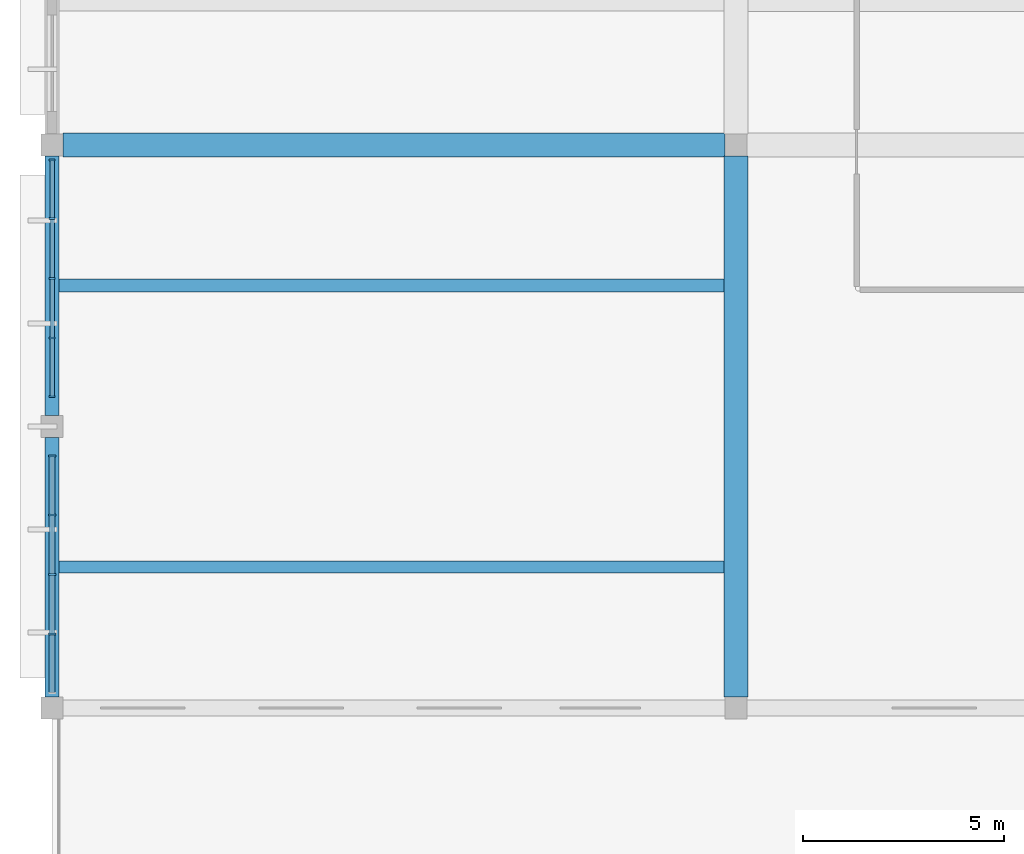
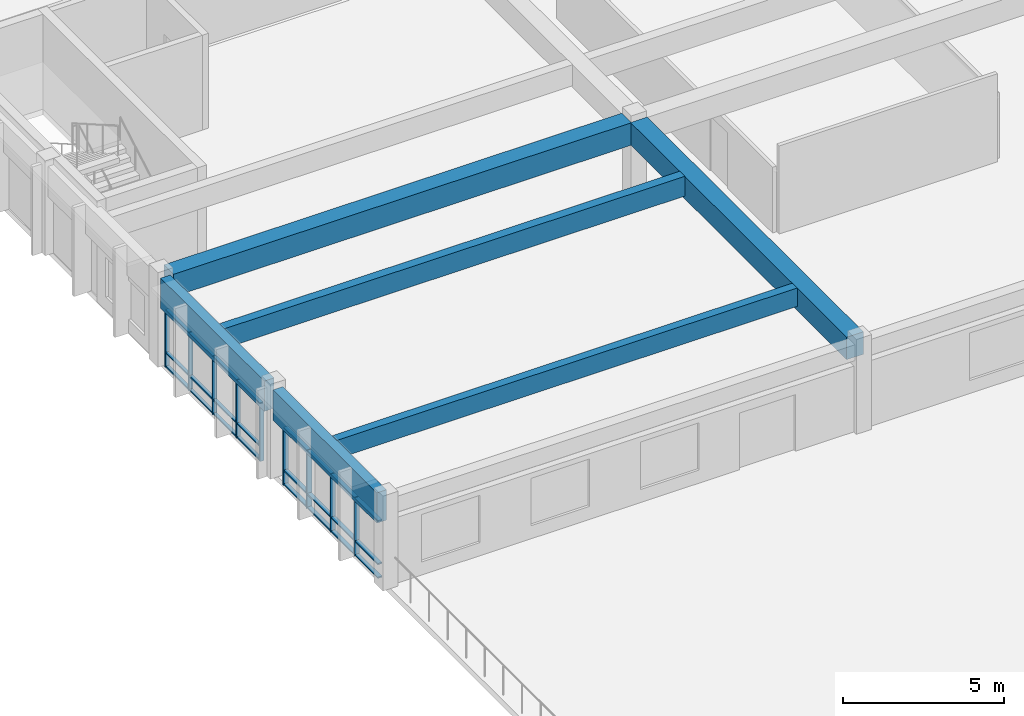
# One storey, part 4 of 23: 33 members, 6 beams, 2 elements without a shape of their own.
"""IFC4 building model written with IfcOpenShell, lengths in metres."""

import ifcopenshell
import ifcopenshell.guid

model = None  # the IFC model being written
_history = None  # IfcOwnerHistory: only IFC2X3 demands one
_inside = {}  # id of a spatial element -> (the spatial element, [elements in it])
_under = {}  # id of a project, library or spatial element -> (it, [spatial elements below it])
_declared = {}  # id of a project -> (the project, [libraries it declares])
_typed = {}  # id of a type object -> (the type object, [elements of that type])
_made_of = {}  # id of a material, layer set ... -> (it, [elements and type objects made of it])


def new_model(schema):
    """Start an empty IFC model of exactly this schema.

    Asked for "IFC4X3", IfcOpenShell would pick the latest addendum, in which some entities
    have other attributes; the version numbers below select the first issue.
    IFC2X3 requires an IfcOwnerHistory on every rooted entity: one is made here for all.
    """
    global model, _history
    if schema == "IFC4X3":
        model = ifcopenshell.file(schema_version=(4, 3, 0, 0))
    else:
        model = ifcopenshell.file(schema=schema)
    _inside.clear()
    _under.clear()
    _declared.clear()
    _typed.clear()
    _made_of.clear()
    _history = None
    if model.schema == "IFC2X3":
        org = make("IfcOrganization", Name="unknown")
        user = make(
            "IfcPersonAndOrganization",
            ThePerson=make("IfcPerson", FamilyName="unknown"),
            TheOrganization=org,
        )
        app = make(
            "IfcApplication",
            ApplicationDeveloper=org,
            Version="unknown",
            ApplicationFullName="unknown",
            ApplicationIdentifier="unknown",
        )
        _history = make(
            "IfcOwnerHistory",
            OwningUser=user,
            OwningApplication=app,
            ChangeAction="ADDED",
            CreationDate=0,
        )
    return model


def make(cls, **values):
    """One entity of the class cls with the attributes given. An attribute that is None is left unset."""
    return model.create_entity(
        cls, **{name: value for name, value in values.items() if value is not None}
    )


def rooted(cls, **values):
    """An entity with a GlobalId (a new one), such as an element, a storey or a relation."""
    return make(cls, GlobalId=ifcopenshell.guid.new(), OwnerHistory=_history, **values)


def si_unit(unit_type, name, prefix=None):
    """IfcSIUnit, for example si_unit("LENGTHUNIT", "METRE", prefix="MILLI")."""
    return make("IfcSIUnit", UnitType=unit_type, Prefix=prefix, Name=name)


def assignment(units):
    """IfcUnitAssignment: the units of a project."""
    return None if units is None else make("IfcUnitAssignment", Units=units)


def point(xyz):
    """IfcCartesianPoint."""
    return None if xyz is None else make("IfcCartesianPoint", Coordinates=xyz)


def direction(xyz):
    """IfcDirection."""
    return None if xyz is None else make("IfcDirection", DirectionRatios=xyz)


def frame(location, z_axis=None, x_axis=None):
    """IfcAxis2Placement3D, a coordinate frame: its origin and axes. An axis left out is left unset."""
    return make(
        "IfcAxis2Placement3D",
        Location=point(location),
        Axis=direction(z_axis),
        RefDirection=direction(x_axis),
    )


def frame_2d(location, x_axis=None):
    """IfcAxis2Placement2D, a coordinate frame in the plane: its origin and x axis."""
    return make(
        "IfcAxis2Placement2D", Location=point(location), RefDirection=direction(x_axis)
    )


def origin():
    """The frame at (0, 0, 0) with its axes left unset."""
    return frame((0.0, 0.0, 0.0))


def origin_2d():
    """The frame at (0, 0) in the plane with its x axis left unset."""
    return frame_2d((0.0, 0.0))


def place(relative_to, where):
    """IfcLocalPlacement: puts the frame where relative to a parent placement (None: the world)."""
    return make(
        "IfcLocalPlacement", PlacementRelTo=relative_to, RelativePlacement=where
    )


def context(
    kind, dimensions, precision=None, world=None, true_north=None, identifier=None
):
    """IfcGeometricRepresentationContext, for example the 3D "Model" context."""
    return make(
        "IfcGeometricRepresentationContext",
        ContextIdentifier=identifier,
        ContextType=kind,
        CoordinateSpaceDimension=dimensions,
        Precision=precision,
        WorldCoordinateSystem=world,
        TrueNorth=true_north,
    )


def subcontext(parent, identifier, kind, view, scale=None):
    """IfcGeometricRepresentationSubContext, for example "Body" below "Model"."""
    return make(
        "IfcGeometricRepresentationSubContext",
        ContextIdentifier=identifier,
        ContextType=kind,
        ParentContext=parent,
        TargetScale=scale,
        TargetView=view,
    )


def project(units=None, contexts=None):
    """IfcProject with its units and contexts."""
    return rooted(
        "IfcProject",
        Name="project",
        RepresentationContexts=contexts,
        UnitsInContext=assignment(units),
    )


def spatial(cls, under=None, at=None, **own):
    """A site, building, storey or space (cls), placed at a placement, below another one or the project."""
    s = rooted(cls, ObjectPlacement=at, **own)
    if under is not None:
        _under.setdefault(under.id(), (under, []))[1].append(s)
    return s


def profile(cls, at=None, kind="AREA", **sizes):
    """A parametric profile (cls). Its sizes go by their IFC names, for example OverallWidth=200.0."""
    return make(cls, ProfileType=kind, Position=at, **sizes)


def rectangle(**sizes):
    """IfcRectangleProfileDef."""
    return profile("IfcRectangleProfileDef", **sizes)


def extrude(swept, where, along, depth):
    """IfcExtrudedAreaSolid: the profile swept, set in the frame where, extruded along a direction by depth."""
    return make(
        "IfcExtrudedAreaSolid",
        SweptArea=swept,
        Position=where,
        ExtrudedDirection=direction(along),
        Depth=depth,
    )


def shape(context_of_items, identifier, shape_type, items):
    """IfcShapeRepresentation: the items that make up one representation, for example the "Body"."""
    return make(
        "IfcShapeRepresentation",
        ContextOfItems=context_of_items,
        RepresentationIdentifier=identifier,
        RepresentationType=shape_type,
        Items=items,
    )


def material(Name=None, Category=None):
    """IfcMaterial."""
    return make("IfcMaterial", Name=Name, Category=Category)


def material_profile(
    of_material, cross_section, Name=None, Category=None, Priority=None
):
    """IfcMaterialProfile: a cross section and its material."""
    return make(
        "IfcMaterialProfile",
        Name=Name,
        Material=of_material,
        Profile=cross_section,
        Priority=Priority,
        Category=Category,
    )


def profile_set(profiles, Name=None, composite=None):
    """IfcMaterialProfileSet."""
    return make(
        "IfcMaterialProfileSet",
        Name=Name,
        MaterialProfiles=profiles,
        CompositeProfile=composite,
    )


def made_of(thing, what):
    """Note that an element or type object is made of a material, layer set ...; save() writes the relation."""
    if what is not None:
        _made_of.setdefault(what.id(), (what, []))[1].append(thing)
    return thing


def type_object(cls, material=None, **own):
    """A type object (cls), such as IfcWallType, which elements share."""
    return made_of(rooted(cls, **own), material)


def element(
    cls,
    number,
    at=None,
    inside=None,
    cuts=None,
    type_object=None,
    material=None,
    context=None,
    identifier="Body",
    shape_type=None,
    held_by="IfcProductDefinitionShape",
    body=None,
    shapes=None,
    **own,
):
    """One element of the class cls, such as IfcWall. Its Tag is "e" and its number.

    at: its placement. inside: the storey or other place that contains it. cuts: it is an
    opening in that element (IfcRelVoidsElement). A single representation is given by context,
    identifier, shape_type and body (its items); several are given by shapes. held_by: the class
    of the entity that holds the representations. save() writes the other relations.
    """
    e = rooted(cls, Tag="e%d" % number, ObjectPlacement=at, **own)
    if body is not None:
        shapes = [shape(context, identifier, shape_type, body)]
    if shapes is not None:
        e.Representation = make(held_by, Representations=shapes)
    if inside is not None:
        _inside.setdefault(inside.id(), (inside, []))[1].append(e)
    if cuts is not None:
        rooted(
            "IfcRelVoidsElement", RelatingBuildingElement=cuts, RelatedOpeningElement=e
        )
    if type_object is not None:
        _typed.setdefault(type_object.id(), (type_object, []))[1].append(e)
    return made_of(e, material)


def aggregate(whole, parts):
    """IfcRelAggregates: a whole, such as a stair, and the parts it consists of."""
    return rooted("IfcRelAggregates", RelatingObject=whole, RelatedObjects=parts)


def save(model, path):
    """Write the relations noted so far, then the file.

    IfcRelAggregates (storeys below a building ...), IfcRelContainedInSpatialStructure (elements
    in a storey), IfcRelDefinesByType, IfcRelAssociatesMaterial and IfcRelDeclares: one each for
    every whole, place, type object, material and project.
    """
    for whole, parts in _under.values():
        aggregate(whole, parts)
    for where, things in _inside.values():
        rooted(
            "IfcRelContainedInSpatialStructure",
            RelatedElements=things,
            RelatingStructure=where,
        )
    for kind, things in _typed.values():
        rooted("IfcRelDefinesByType", RelatedObjects=things, RelatingType=kind)
    for what, things in _made_of.values():
        rooted("IfcRelAssociatesMaterial", RelatedObjects=things, RelatingMaterial=what)
    for by, libraries in _declared.values():
        rooted("IfcRelDeclares", RelatingContext=by, RelatedDefinitions=libraries)
    model.write(path)


model = new_model("IFC4")

# Units and contexts
model_context = context("Model", 3, precision=1e-05, world=origin(), true_north=direction((0.0, 1.0)))
body_context = subcontext(model_context, "Body", "Model", "MODEL_VIEW")
ifc_project = project(units=[si_unit("LENGTHUNIT", "METRE"), si_unit("AREAUNIT", "SQUARE_METRE"), si_unit("VOLUMEUNIT", "CUBIC_METRE"), si_unit("PLANEANGLEUNIT", "RADIAN"), si_unit("MASSUNIT", "GRAM", prefix="KILO")], contexts=[model_context])

# Site, building, storey
site_placement = place(None, origin())
site = spatial("IfcSite", under=ifc_project, at=site_placement, CompositionType="ELEMENT")
building_placement = place(site_placement, origin())
building = spatial("IfcBuilding", under=site, at=building_placement, Name="Larkveld Mobility Hub", CompositionType="ELEMENT")
storey_placement = place(building_placement, frame((0.0, 0.0, 19.199951171875)))
storey = spatial("IfcBuildingStorey", under=building, at=storey_placement, Name="L05", CompositionType="ELEMENT", Elevation=19.199951171875)

# Beams
ifc_material_1 = material(Name="Precast concrete C50/60", Category="concrete")
ifc_material_profile_1 = material_profile(ifc_material_1, rectangle(XDim=0.300048828125, YDim=0.699951171875, at=origin_2d()), Name="PC DT 300x700")
ifc_profile_set_1 = profile_set([ifc_material_profile_1], Name="Precast concrete C50/60")
beam_type_1 = type_object("IfcBeamType", Name="BM-DT3070", PredefinedType="T_BEAM", material=ifc_profile_set_1)
beam_1_placement = place(storey_placement, frame((112.169921875, 31.5, 3.02001953125), z_axis=(1.0, 0.0, 0.0), x_axis=(0.0, 1.0, 0.0)))
element("IfcBeam", 1, at=beam_1_placement, inside=storey, type_object=beam_type_1, Name="Precast Double-Tee Stem L05-1145", PredefinedType="T_BEAM", context=body_context, shape_type="SweptSolid", body=[
    extrude(rectangle(XDim=0.300048828125, YDim=0.699951171875, at=origin_2d()), origin(), (0.0, 0.0, 1.0), 16.53515625),
])
ifc_material_profile_2 = material_profile(ifc_material_1, rectangle(XDim=0.320068359375, YDim=0.75, at=origin_2d()), Name="PC DT 320x750")
ifc_profile_set_2 = profile_set([ifc_material_profile_2], Name="Precast concrete C50/60")
beam_type_2 = type_object("IfcBeamType", Name="BM-DT3275", PredefinedType="T_BEAM", material=ifc_profile_set_2)
beam_2_placement = place(storey_placement, frame((112.169921875, 38.5, 2.9951171875), z_axis=(1.0, 0.0, 0.0), x_axis=(0.0, 1.0, 0.0)))
element("IfcBeam", 2, at=beam_2_placement, inside=storey, type_object=beam_type_2, Name="Precast Double-Tee Stem L05-1146", PredefinedType="T_BEAM", context=body_context, shape_type="SweptSolid", body=[
    extrude(rectangle(XDim=0.320068359375, YDim=0.75, at=origin_2d()), origin(), (0.0, 0.0, 1.0), 16.53515625),
])
ifc_material_profile_3 = material_profile(ifc_material_1, rectangle(XDim=0.60009765625, YDim=0.85009765625, at=origin_2d()), Name="PC ITB 600x850")
ifc_profile_set_3 = profile_set([ifc_material_profile_3], Name="Precast concrete C50/60")
beam_type_3 = type_object("IfcBeamType", Name="BM-ITB6085", PredefinedType="T_BEAM", material=ifc_profile_set_3)
beam_3_placement = place(storey_placement, frame((112.27490234375, 42.0, 2.93505859375), z_axis=(1.0, 0.0, 0.0), x_axis=(0.0, 1.0, 0.0)))
element("IfcBeam", 3, at=beam_3_placement, inside=storey, type_object=beam_type_3, Name="Primary E-W Girder L05-0947", PredefinedType="T_BEAM", context=body_context, shape_type="SweptSolid", body=[
    extrude(rectangle(XDim=0.60009765625, YDim=0.85009765625, at=origin_2d()), origin(), (0.0, 0.0, 1.0), 16.4501953125),
])
beam_4_placement = place(storey_placement, frame((129.0, 28.27490234375, 2.93505859375), z_axis=(0.0, 1.0, 0.0), x_axis=(-1.0, 0.0, 0.0)))
element("IfcBeam", 4, at=beam_4_placement, inside=storey, type_object=beam_type_3, Name="Primary N-S Girder L05-0970", PredefinedType="T_BEAM", context=body_context, shape_type="SweptSolid", body=[
    extrude(rectangle(XDim=0.60009765625, YDim=0.85009765625, at=origin_2d()), origin(), (0.0, 0.0, 1.0), 13.4501953125),
])
ifc_material_profile_4 = material_profile(ifc_material_1, rectangle(XDim=0.35009765625, YDim=1.14990234375, at=origin_2d()), Name="PC SP 350x1150")
ifc_profile_set_4 = profile_set([ifc_material_profile_4], Name="Precast concrete C50/60")
beam_type_4 = type_object("IfcBeamType", Name="BM-SP35115", PredefinedType="SPANDREL", material=ifc_profile_set_4)
for number, where, z_axis, x_axis, name in (
    (5, (112.0, 28.27490234375, 2.78515625), (0.0, 1.0, 0.0), (-1.0, 0.0, 0.0), "Primary N-S Girder L05-0962"),
    (6, (112.0, 35.27490234375, 2.78515625), (0.0, 1.0, 0.0), (-1.0, 0.0, 0.0), "Primary N-S Girder L05-0963"),
):
    element("IfcBeam", number, at=place(storey_placement, frame(where, z_axis=z_axis, x_axis=x_axis)), inside=storey, type_object=beam_type_4, Name=name, PredefinedType="SPANDREL", context=body_context, shape_type="SweptSolid", body=[
        extrude(rectangle(XDim=0.35009765625, YDim=1.14990234375, at=origin_2d()), origin(), (0.0, 0.0, 1.0), 6.4501953125),
    ])

# Curtain wall, members
ifc_material_2 = material(Name="Anodised aluminium 6063-T6", Category="aluminium")
curtain_wall_type_1 = type_object("IfcCurtainWallType", Name="CW-SYS-05", PredefinedType="NOTDEFINED", material=ifc_material_2)
curtain_wall_1_placement = place(storey_placement, origin())
curtain_wall_1 = element("IfcCurtainWall", 7, at=curtain_wall_1_placement, inside=storey, type_object=curtain_wall_type_1, Name="EV Wing West Glazing L05 CW-161", PredefinedType="NOTDEFINED")
ifc_material_profile_5 = material_profile(ifc_material_2, rectangle(XDim=0.050048828125, YDim=0.14990234375, at=origin_2d()), Name="ALU MULL 50x150")
ifc_profile_set_5 = profile_set([ifc_material_profile_5], Name="Anodised aluminium 6063-T6")
member_type_1 = type_object("IfcMemberType", Name="CW-MUL-01", PredefinedType="MULLION", material=ifc_profile_set_5)
member_1_placement = place(storey_placement, frame((112.0, 41.625, -0.001953125), z_axis=(0.0, 0.0, 1.0), x_axis=(0.0, -1.0, 0.0)))
member_1 = element("IfcMember", 8, at=member_1_placement, type_object=member_type_1, Name="CW05 mullion 1", PredefinedType="MULLION", context=body_context, shape_type="SweptSolid", body=[
    extrude(rectangle(XDim=0.050048828125, YDim=0.14990234375, at=origin_2d()), origin(), (0.0, 0.0, 1.0), 2.2119140625),
])
member_2_placement = place(storey_placement, frame((112.0, 40.166015625, -0.001953125), z_axis=(0.0, 0.0, 1.0), x_axis=(0.0, -1.0, 0.0)))
member_2 = element("IfcMember", 9, at=member_2_placement, type_object=member_type_1, Name="CW05 mullion 2", PredefinedType="MULLION", context=body_context, shape_type="SweptSolid", body=[
    extrude(rectangle(XDim=0.050048828125, YDim=0.14990234375, at=origin_2d()), origin(), (0.0, 0.0, 1.0), 2.2119140625),
])
member_3_placement = place(storey_placement, frame((112.0, 38.681884765625, -0.001953125), z_axis=(0.0, 0.0, 1.0), x_axis=(0.0, -1.0, 0.0)))
member_3 = element("IfcMember", 10, at=member_3_placement, type_object=member_type_1, Name="CW05 mullion 3", PredefinedType="MULLION", context=body_context, shape_type="SweptSolid", body=[
    extrude(rectangle(XDim=0.050048828125, YDim=0.14990234375, at=origin_2d()), origin(), (0.0, 0.0, 1.0), 2.2119140625),
])
member_4_placement = place(storey_placement, frame((112.0, 37.198974609375, -0.001953125), z_axis=(0.0, 0.0, 1.0), x_axis=(0.0, -1.0, 0.0)))
member_4 = element("IfcMember", 11, at=member_4_placement, type_object=member_type_1, Name="CW05 mullion 4", PredefinedType="MULLION", context=body_context, shape_type="SweptSolid", body=[
    extrude(rectangle(XDim=0.050048828125, YDim=0.14990234375, at=origin_2d()), origin(), (0.0, 0.0, 1.0), 2.2119140625),
])
member_5_placement = place(storey_placement, frame((112.0, 35.739990234375, -0.001953125), z_axis=(0.0, 0.0, 1.0), x_axis=(0.0, -1.0, 0.0)))
member_5 = element("IfcMember", 12, at=member_5_placement, type_object=member_type_1, Name="CW05 mullion 5", PredefinedType="MULLION", context=body_context, shape_type="SweptSolid", body=[
    extrude(rectangle(XDim=0.050048828125, YDim=0.14990234375, at=origin_2d()), origin(), (0.0, 0.0, 1.0), 2.2119140625),
])

curtain_wall_type_2 = type_object("IfcCurtainWallType", Name="CW-SYS-06", PredefinedType="NOTDEFINED", material=ifc_material_2)
curtain_wall_2_placement = place(storey_placement, origin())
curtain_wall_2 = element("IfcCurtainWall", 13, at=curtain_wall_2_placement, inside=storey, type_object=curtain_wall_type_2, Name="EV Wing West Glazing L05 CW-162", PredefinedType="NOTDEFINED")
ifc_material_profile_6 = material_profile(ifc_material_2, rectangle(XDim=0.050048828125, YDim=0.179931640625, at=origin_2d()), Name="ALU MULL 50x180")
ifc_profile_set_6 = profile_set([ifc_material_profile_6], Name="Anodised aluminium 6063-T6")
member_type_2 = type_object("IfcMemberType", Name="CW-MUL-02", PredefinedType="MULLION", material=ifc_profile_set_6)
member_6_placement = place(storey_placement, frame((112.0, 34.260009765625, -0.001953125), z_axis=(0.0, 0.0, 1.0), x_axis=(0.0, -1.0, 0.0)))
member_6 = element("IfcMember", 14, at=member_6_placement, type_object=member_type_2, Name="CW06 mullion 1", PredefinedType="MULLION", context=body_context, shape_type="SweptSolid", body=[
    extrude(rectangle(XDim=0.050048828125, YDim=0.179931640625, at=origin_2d()), origin(), (0.0, 0.0, 1.0), 2.2119140625),
])
member_7_placement = place(storey_placement, frame((112.0, 32.801025390625, -0.001953125), z_axis=(0.0, 0.0, 1.0), x_axis=(0.0, -1.0, 0.0)))
member_7 = element("IfcMember", 15, at=member_7_placement, type_object=member_type_2, Name="CW06 mullion 2", PredefinedType="MULLION", context=body_context, shape_type="SweptSolid", body=[
    extrude(rectangle(XDim=0.050048828125, YDim=0.179931640625, at=origin_2d()), origin(), (0.0, 0.0, 1.0), 2.2119140625),
])
member_8_placement = place(storey_placement, frame((112.0, 31.31689453125, -0.001953125), z_axis=(0.0, 0.0, 1.0), x_axis=(0.0, -1.0, 0.0)))
member_8 = element("IfcMember", 16, at=member_8_placement, type_object=member_type_2, Name="CW06 mullion 3", PredefinedType="MULLION", context=body_context, shape_type="SweptSolid", body=[
    extrude(rectangle(XDim=0.050048828125, YDim=0.179931640625, at=origin_2d()), origin(), (0.0, 0.0, 1.0), 2.2119140625),
])
member_9_placement = place(storey_placement, frame((112.0, 29.833984375, -0.001953125), z_axis=(0.0, 0.0, 1.0), x_axis=(0.0, -1.0, 0.0)))
member_9 = element("IfcMember", 17, at=member_9_placement, type_object=member_type_2, Name="CW06 mullion 4", PredefinedType="MULLION", context=body_context, shape_type="SweptSolid", body=[
    extrude(rectangle(XDim=0.050048828125, YDim=0.179931640625, at=origin_2d()), origin(), (0.0, 0.0, 1.0), 2.2119140625),
])

# Member
ifc_material_profile_7 = material_profile(ifc_material_2, rectangle(XDim=0.1201171875, YDim=0.050048828125, at=origin_2d()), Name="ALU TRAN 50x120")
ifc_profile_set_7 = profile_set([ifc_material_profile_7], Name="Anodised aluminium 6063-T6")
member_type_3 = type_object("IfcMemberType", Name="CW-TRN-01", PredefinedType="USERDEFINED", material=ifc_profile_set_7)
member_10_placement = place(storey_placement, frame((112.0, 41.614990234375, 0.030029296875), z_axis=(0.0, -1.0, 0.0), x_axis=(1.0, 0.0, 0.0)))
member_10 = element("IfcMember", 18, at=member_10_placement, type_object=member_type_3, Name="CW05 transom 1.1", ObjectType="TRANSOM", PredefinedType="USERDEFINED", context=body_context, shape_type="SweptSolid", body=[
    extrude(rectangle(XDim=0.1201171875, YDim=0.050048828125, at=origin_2d()), origin(), (0.0, 0.0, 1.0), 1.43408203125),
])

member_11_placement = place(storey_placement, frame((112.0, 41.614990234375, 0.552001953125), z_axis=(0.0, -1.0, 0.0), x_axis=(1.0, 0.0, 0.0)))
member_11 = element("IfcMember", 19, at=member_11_placement, type_object=member_type_3, Name="CW05 transom 1.2", ObjectType="TRANSOM", PredefinedType="USERDEFINED", context=body_context, shape_type="SweptSolid", body=[
    extrude(rectangle(XDim=0.1201171875, YDim=0.050048828125, at=origin_2d()), origin(), (0.0, 0.0, 1.0), 1.43408203125),
])

member_12_placement = place(storey_placement, frame((112.0, 41.614990234375, 2.177978515625), z_axis=(0.0, -1.0, 0.0), x_axis=(1.0, 0.0, 0.0)))
member_12 = element("IfcMember", 20, at=member_12_placement, type_object=member_type_3, Name="CW05 transom 1.3", ObjectType="TRANSOM", PredefinedType="USERDEFINED", context=body_context, shape_type="SweptSolid", body=[
    extrude(rectangle(XDim=0.1201171875, YDim=0.050048828125, at=origin_2d()), origin(), (0.0, 0.0, 1.0), 1.43408203125),
])

member_13_placement = place(storey_placement, frame((112.0, 40.15087890625, 0.030029296875), z_axis=(0.0, -1.0, 0.0), x_axis=(1.0, 0.0, 0.0)))
member_13 = element("IfcMember", 21, at=member_13_placement, type_object=member_type_3, Name="CW05 transom 2.1", ObjectType="TRANSOM", PredefinedType="USERDEFINED", context=body_context, shape_type="SweptSolid", body=[
    extrude(rectangle(XDim=0.1201171875, YDim=0.050048828125, at=origin_2d()), origin(), (0.0, 0.0, 1.0), 1.453857421875),
])

member_14_placement = place(storey_placement, frame((112.0, 40.15087890625, 0.552001953125), z_axis=(0.0, -1.0, 0.0), x_axis=(1.0, 0.0, 0.0)))
member_14 = element("IfcMember", 22, at=member_14_placement, type_object=member_type_3, Name="CW05 transom 2.2", ObjectType="TRANSOM", PredefinedType="USERDEFINED", context=body_context, shape_type="SweptSolid", body=[
    extrude(rectangle(XDim=0.1201171875, YDim=0.050048828125, at=origin_2d()), origin(), (0.0, 0.0, 1.0), 1.453857421875),
])

member_15_placement = place(storey_placement, frame((112.0, 40.15087890625, 2.177978515625), z_axis=(0.0, -1.0, 0.0), x_axis=(1.0, 0.0, 0.0)))
member_15 = element("IfcMember", 23, at=member_15_placement, type_object=member_type_3, Name="CW05 transom 2.3", ObjectType="TRANSOM", PredefinedType="USERDEFINED", context=body_context, shape_type="SweptSolid", body=[
    extrude(rectangle(XDim=0.1201171875, YDim=0.050048828125, at=origin_2d()), origin(), (0.0, 0.0, 1.0), 1.453857421875),
])

member_16_placement = place(storey_placement, frame((112.0, 38.6669921875, 0.030029296875), z_axis=(0.0, -1.0, 0.0), x_axis=(1.0, 0.0, 0.0)))
member_16 = element("IfcMember", 24, at=member_16_placement, type_object=member_type_3, Name="CW05 transom 3.1", ObjectType="TRANSOM", PredefinedType="USERDEFINED", context=body_context, shape_type="SweptSolid", body=[
    extrude(rectangle(XDim=0.1201171875, YDim=0.050048828125, at=origin_2d()), origin(), (0.0, 0.0, 1.0), 1.452880859375),
])

member_17_placement = place(storey_placement, frame((112.0, 38.6669921875, 0.552001953125), z_axis=(0.0, -1.0, 0.0), x_axis=(1.0, 0.0, 0.0)))
member_17 = element("IfcMember", 25, at=member_17_placement, type_object=member_type_3, Name="CW05 transom 3.2", ObjectType="TRANSOM", PredefinedType="USERDEFINED", context=body_context, shape_type="SweptSolid", body=[
    extrude(rectangle(XDim=0.1201171875, YDim=0.050048828125, at=origin_2d()), origin(), (0.0, 0.0, 1.0), 1.452880859375),
])

member_18_placement = place(storey_placement, frame((112.0, 38.6669921875, 2.177978515625), z_axis=(0.0, -1.0, 0.0), x_axis=(1.0, 0.0, 0.0)))
member_18 = element("IfcMember", 26, at=member_18_placement, type_object=member_type_3, Name="CW05 transom 3.3", ObjectType="TRANSOM", PredefinedType="USERDEFINED", context=body_context, shape_type="SweptSolid", body=[
    extrude(rectangle(XDim=0.1201171875, YDim=0.050048828125, at=origin_2d()), origin(), (0.0, 0.0, 1.0), 1.452880859375),
])

member_19_placement = place(storey_placement, frame((112.0, 37.18408203125, 0.030029296875), z_axis=(0.0, -1.0, 0.0), x_axis=(1.0, 0.0, 0.0)))
member_19 = element("IfcMember", 27, at=member_19_placement, type_object=member_type_3, Name="CW05 transom 4.1", ObjectType="TRANSOM", PredefinedType="USERDEFINED", context=body_context, shape_type="SweptSolid", body=[
    extrude(rectangle(XDim=0.1201171875, YDim=0.050048828125, at=origin_2d()), origin(), (0.0, 0.0, 1.0), 1.43408203125),
])

member_20_placement = place(storey_placement, frame((112.0, 37.18408203125, 0.552001953125), z_axis=(0.0, -1.0, 0.0), x_axis=(1.0, 0.0, 0.0)))
member_20 = element("IfcMember", 28, at=member_20_placement, type_object=member_type_3, Name="CW05 transom 4.2", ObjectType="TRANSOM", PredefinedType="USERDEFINED", context=body_context, shape_type="SweptSolid", body=[
    extrude(rectangle(XDim=0.1201171875, YDim=0.050048828125, at=origin_2d()), origin(), (0.0, 0.0, 1.0), 1.43408203125),
])

member_21_placement = place(storey_placement, frame((112.0, 37.18408203125, 2.177978515625), z_axis=(0.0, -1.0, 0.0), x_axis=(1.0, 0.0, 0.0)))
member_21 = element("IfcMember", 29, at=member_21_placement, type_object=member_type_3, Name="CW05 transom 4.3", ObjectType="TRANSOM", PredefinedType="USERDEFINED", context=body_context, shape_type="SweptSolid", body=[
    extrude(rectangle(XDim=0.1201171875, YDim=0.050048828125, at=origin_2d()), origin(), (0.0, 0.0, 1.0), 1.43408203125),
])

aggregate(curtain_wall_1, [member_1, member_2, member_3, member_4, member_5, member_10, member_11, member_12, member_13, member_14, member_15, member_16, member_17, member_18, member_19, member_20, member_21])

ifc_material_profile_8 = material_profile(ifc_material_2, rectangle(XDim=0.14990234375, YDim=0.050048828125, at=origin_2d()), Name="ALU TRAN 50x150")
ifc_profile_set_8 = profile_set([ifc_material_profile_8], Name="Anodised aluminium 6063-T6")
member_type_4 = type_object("IfcMemberType", Name="CW-TRN-02", PredefinedType="USERDEFINED", material=ifc_profile_set_8)
member_22_placement = place(storey_placement, frame((112.0, 34.25, 0.030029296875), z_axis=(0.0, -1.0, 0.0), x_axis=(1.0, 0.0, 0.0)))
member_22 = element("IfcMember", 30, at=member_22_placement, type_object=member_type_4, Name="CW06 transom 1.1", ObjectType="TRANSOM", PredefinedType="USERDEFINED", context=body_context, shape_type="SweptSolid", body=[
    extrude(rectangle(XDim=0.14990234375, YDim=0.050048828125, at=origin_2d()), origin(), (0.0, 0.0, 1.0), 1.43408203125),
])

member_23_placement = place(storey_placement, frame((112.0, 34.25, 0.552001953125), z_axis=(0.0, -1.0, 0.0), x_axis=(1.0, 0.0, 0.0)))
member_23 = element("IfcMember", 31, at=member_23_placement, type_object=member_type_4, Name="CW06 transom 1.2", ObjectType="TRANSOM", PredefinedType="USERDEFINED", context=body_context, shape_type="SweptSolid", body=[
    extrude(rectangle(XDim=0.14990234375, YDim=0.050048828125, at=origin_2d()), origin(), (0.0, 0.0, 1.0), 1.43408203125),
])

member_24_placement = place(storey_placement, frame((112.0, 34.25, 2.177978515625), z_axis=(0.0, -1.0, 0.0), x_axis=(1.0, 0.0, 0.0)))
member_24 = element("IfcMember", 32, at=member_24_placement, type_object=member_type_4, Name="CW06 transom 1.3", ObjectType="TRANSOM", PredefinedType="USERDEFINED", context=body_context, shape_type="SweptSolid", body=[
    extrude(rectangle(XDim=0.14990234375, YDim=0.050048828125, at=origin_2d()), origin(), (0.0, 0.0, 1.0), 1.43408203125),
])

member_25_placement = place(storey_placement, frame((112.0, 32.785888671875, 0.030029296875), z_axis=(0.0, -1.0, 0.0), x_axis=(1.0, 0.0, 0.0)))
member_25 = element("IfcMember", 33, at=member_25_placement, type_object=member_type_4, Name="CW06 transom 2.1", ObjectType="TRANSOM", PredefinedType="USERDEFINED", context=body_context, shape_type="SweptSolid", body=[
    extrude(rectangle(XDim=0.14990234375, YDim=0.050048828125, at=origin_2d()), origin(), (0.0, 0.0, 1.0), 1.453857421875),
])

member_26_placement = place(storey_placement, frame((112.0, 32.785888671875, 0.552001953125), z_axis=(0.0, -1.0, 0.0), x_axis=(1.0, 0.0, 0.0)))
member_26 = element("IfcMember", 34, at=member_26_placement, type_object=member_type_4, Name="CW06 transom 2.2", ObjectType="TRANSOM", PredefinedType="USERDEFINED", context=body_context, shape_type="SweptSolid", body=[
    extrude(rectangle(XDim=0.14990234375, YDim=0.050048828125, at=origin_2d()), origin(), (0.0, 0.0, 1.0), 1.453857421875),
])

member_27_placement = place(storey_placement, frame((112.0, 32.785888671875, 2.177978515625), z_axis=(0.0, -1.0, 0.0), x_axis=(1.0, 0.0, 0.0)))
member_27 = element("IfcMember", 35, at=member_27_placement, type_object=member_type_4, Name="CW06 transom 2.3", ObjectType="TRANSOM", PredefinedType="USERDEFINED", context=body_context, shape_type="SweptSolid", body=[
    extrude(rectangle(XDim=0.14990234375, YDim=0.050048828125, at=origin_2d()), origin(), (0.0, 0.0, 1.0), 1.453857421875),
])

member_28_placement = place(storey_placement, frame((112.0, 31.302001953125, 0.030029296875), z_axis=(0.0, -1.0, 0.0), x_axis=(1.0, 0.0, 0.0)))
member_28 = element("IfcMember", 36, at=member_28_placement, type_object=member_type_4, Name="CW06 transom 3.1", ObjectType="TRANSOM", PredefinedType="USERDEFINED", context=body_context, shape_type="SweptSolid", body=[
    extrude(rectangle(XDim=0.14990234375, YDim=0.050048828125, at=origin_2d()), origin(), (0.0, 0.0, 1.0), 1.452880859375),
])

member_29_placement = place(storey_placement, frame((112.0, 31.302001953125, 0.552001953125), z_axis=(0.0, -1.0, 0.0), x_axis=(1.0, 0.0, 0.0)))
member_29 = element("IfcMember", 37, at=member_29_placement, type_object=member_type_4, Name="CW06 transom 3.2", ObjectType="TRANSOM", PredefinedType="USERDEFINED", context=body_context, shape_type="SweptSolid", body=[
    extrude(rectangle(XDim=0.14990234375, YDim=0.050048828125, at=origin_2d()), origin(), (0.0, 0.0, 1.0), 1.452880859375),
])

member_30_placement = place(storey_placement, frame((112.0, 31.302001953125, 2.177978515625), z_axis=(0.0, -1.0, 0.0), x_axis=(1.0, 0.0, 0.0)))
member_30 = element("IfcMember", 38, at=member_30_placement, type_object=member_type_4, Name="CW06 transom 3.3", ObjectType="TRANSOM", PredefinedType="USERDEFINED", context=body_context, shape_type="SweptSolid", body=[
    extrude(rectangle(XDim=0.14990234375, YDim=0.050048828125, at=origin_2d()), origin(), (0.0, 0.0, 1.0), 1.452880859375),
])

member_31_placement = place(storey_placement, frame((112.0, 29.819091796875, 0.030029296875), z_axis=(0.0, -1.0, 0.0), x_axis=(1.0, 0.0, 0.0)))
member_31 = element("IfcMember", 39, at=member_31_placement, type_object=member_type_4, Name="CW06 transom 4.1", ObjectType="TRANSOM", PredefinedType="USERDEFINED", context=body_context, shape_type="SweptSolid", body=[
    extrude(rectangle(XDim=0.14990234375, YDim=0.050048828125, at=origin_2d()), origin(), (0.0, 0.0, 1.0), 1.43408203125),
])

member_32_placement = place(storey_placement, frame((112.0, 29.819091796875, 0.552001953125), z_axis=(0.0, -1.0, 0.0), x_axis=(1.0, 0.0, 0.0)))
member_32 = element("IfcMember", 40, at=member_32_placement, type_object=member_type_4, Name="CW06 transom 4.2", ObjectType="TRANSOM", PredefinedType="USERDEFINED", context=body_context, shape_type="SweptSolid", body=[
    extrude(rectangle(XDim=0.14990234375, YDim=0.050048828125, at=origin_2d()), origin(), (0.0, 0.0, 1.0), 1.43408203125),
])

member_33_placement = place(storey_placement, frame((112.0, 29.819091796875, 2.177978515625), z_axis=(0.0, -1.0, 0.0), x_axis=(1.0, 0.0, 0.0)))
member_33 = element("IfcMember", 41, at=member_33_placement, type_object=member_type_4, Name="CW06 transom 4.3", ObjectType="TRANSOM", PredefinedType="USERDEFINED", context=body_context, shape_type="SweptSolid", body=[
    extrude(rectangle(XDim=0.14990234375, YDim=0.050048828125, at=origin_2d()), origin(), (0.0, 0.0, 1.0), 1.43408203125),
])

aggregate(curtain_wall_2, [member_6, member_7, member_8, member_9, member_22, member_23, member_24, member_25, member_26, member_27, member_28, member_29, member_30, member_31, member_32, member_33])

save(model, "model.ifc")
